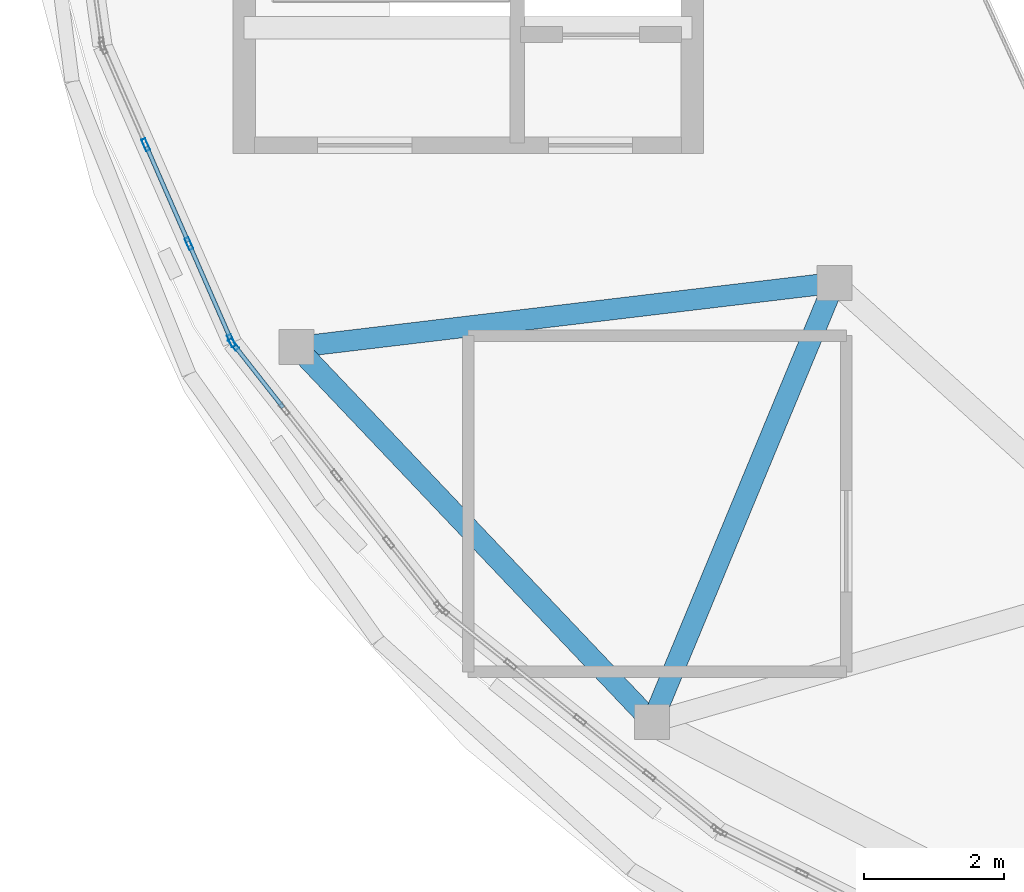
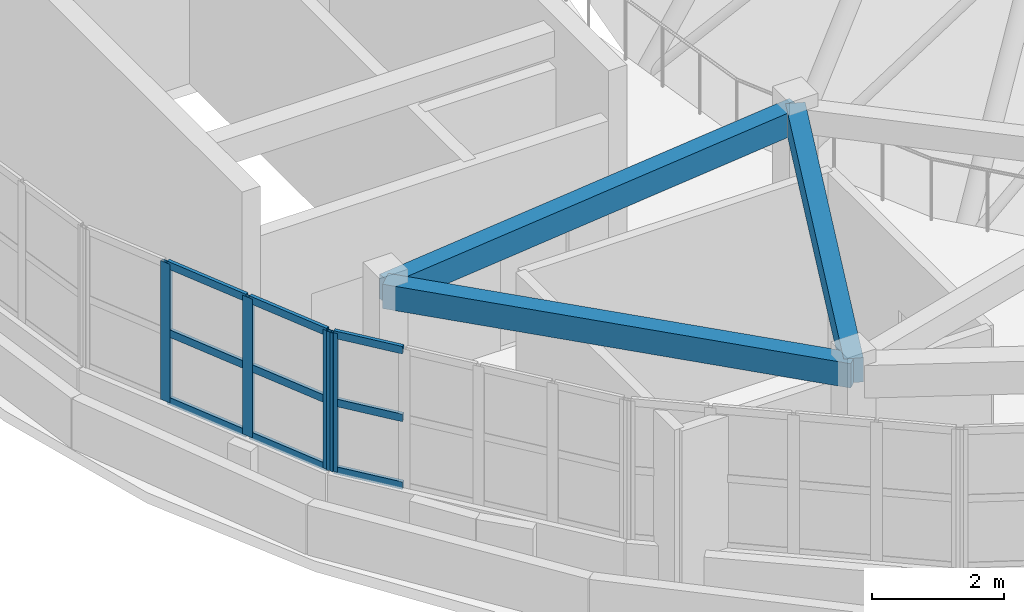
# One storey, part 3 of 38: 13 members, 3 beams, 2 elements without a shape of their own.
"""IFC4 building model written with IfcOpenShell, lengths in metres."""

from ifc_helpers import new_model, si_unit, direction, frame, origin, origin_2d, place, context, subcontext, project, spatial, rectangle, hollow_rectangle, extrude, material, layer, layer_set, material_profile, profile_set, type_object, element, aggregate, save


model = new_model("IFC4")

# Units and contexts
model_context = context("Model", 3, precision=1e-05, world=origin(), true_north=direction((0.0, 1.0)))
body_context = subcontext(model_context, "Body", "Model", "MODEL_VIEW")
ifc_project = project(units=[si_unit("LENGTHUNIT", "METRE"), si_unit("AREAUNIT", "SQUARE_METRE"), si_unit("VOLUMEUNIT", "CUBIC_METRE"), si_unit("PLANEANGLEUNIT", "RADIAN"), si_unit("MASSUNIT", "GRAM", prefix="KILO")], contexts=[model_context])

# Site, building, storey
site_placement = place(None, origin())
site = spatial("IfcSite", under=ifc_project, at=site_placement, CompositionType="ELEMENT")
building_placement = place(site_placement, origin())
building = spatial("IfcBuilding", under=site, at=building_placement, Name="Pelvatis Terrace Science Centre", CompositionType="ELEMENT")
storey_placement = place(building_placement, frame((0.0, 0.0, 24.300048828125)))
storey = spatial("IfcBuildingStorey", under=building, at=storey_placement, Name="L05", CompositionType="ELEMENT", Elevation=24.300048828125)

# Beams
ifc_material_1 = material(Name="Concrete C35/45", Category="concrete")
ifc_material_profile_1 = material_profile(ifc_material_1, rectangle(XDim=0.300048828125, YDim=0.449951171875, at=origin_2d()), Name="RC-BM 300x450")
ifc_profile_set_1 = profile_set([ifc_material_profile_1], Name="Concrete C35/45")
beam_type = type_object("IfcBeamType", Name="BM-RC-300x450", PredefinedType="BEAM", material=ifc_profile_set_1)
beam_1_placement = place(storey_placement, frame((87.548583984375, 76.43798828125, 4.034912109375), z_axis=(0.688284988325, -0.725440400616, 0.0), x_axis=(0.725440400616, 0.688284988325, 0.0)))
element("IfcBeam", 1, at=beam_1_placement, inside=storey, type_object=beam_type, Name="Beam BM-L05-3131", PredefinedType="BEAM", context=body_context, shape_type="SweptSolid", body=[
    extrude(rectangle(XDim=0.300048828125, YDim=0.449951171875, at=origin_2d()), origin(), (0.0, 0.0, 1.0), 7.37890625),
])
beam_2_placement = place(storey_placement, frame((87.548583984375, 76.43798828125, 4.034912109375), z_axis=(0.992948179186, 0.118549202657, 0.0), x_axis=(-0.118549202657, 0.992948179186, 0.0)))
element("IfcBeam", 2, at=beam_2_placement, inside=storey, type_object=beam_type, Name="Beam BM-L05-3132", PredefinedType="BEAM", context=body_context, shape_type="SweptSolid", body=[
    extrude(rectangle(XDim=0.300048828125, YDim=0.449951171875, at=origin_2d()), origin(), (0.0, 0.0, 1.0), 7.737060546875),
])
beam_3_placement = place(storey_placement, frame((92.62744140625, 71.0849609375, 4.034912109375), z_axis=(0.383504415053, 0.923539042832, 0.0), x_axis=(-0.923539042832, 0.383504415053, 0.0)))
element("IfcBeam", 3, at=beam_3_placement, inside=storey, type_object=beam_type, Name="Beam BM-L05-3134", PredefinedType="BEAM", context=body_context, shape_type="SweptSolid", body=[
    extrude(rectangle(XDim=0.300048828125, YDim=0.449951171875, at=origin_2d()), origin(), (0.0, 0.0, 1.0), 6.789306640625),
])

# Curtain wall, members
ifc_material_2 = material(Name="Bronze-anodised aluminium and laminated glass", Category="aluminium")
ifc_layer = layer(ifc_material_2, 0.179931640625)
ifc_layer_set = layer_set([ifc_layer], Name="Bronze-anodised aluminium and laminated glass")
curtain_wall_type = type_object("IfcCurtainWallType", Name="CW-RIBBON-A", PredefinedType="NOTDEFINED", material=ifc_layer_set)
curtain_wall_1_placement = place(storey_placement, origin())
curtain_wall_1 = element("IfcCurtainWall", 4, at=curtain_wall_1_placement, inside=storey, type_object=curtain_wall_type, Name="Ribbon curtain wall CW-252 (L05)", PredefinedType="NOTDEFINED")
ifc_material_3 = material(Name="Bronze-anodised aluminium 6063-T6", Category="aluminium")
ifc_material_profile_2 = material_profile(ifc_material_3, hollow_rectangle(XDim=0.06005859375, YDim=0.179931640625, WallThickness=0.00390625, at=origin_2d()), Name="ALU-MUL 60x180")
ifc_profile_set_2 = profile_set([ifc_material_profile_2], Name="Bronze-anodised aluminium 6063-T6")
member_type_1 = type_object("IfcMemberType", Name="CWM-60x180", PredefinedType="MULLION", material=ifc_profile_set_2)
member_1_placement = place(storey_placement, frame((85.395751953125, 79.325927734375, 1.02001953125), z_axis=(0.0, 0.0, 1.0), x_axis=(0.916274899341, 0.400550007911, 0.0)))
member_1 = element("IfcMember", 5, at=member_1_placement, type_object=member_type_1, Name="CW-252 mullion 2", PredefinedType="MULLION", context=body_context, shape_type="SweptSolid", body=[
    extrude(hollow_rectangle(XDim=0.06005859375, YDim=0.179931640625, WallThickness=0.00390625, at=origin_2d()), origin(), (0.0, 0.0, 1.0), 2.559814453125),
])
member_2_placement = place(storey_placement, frame((86.01318359375, 77.913330078125, 1.02001953125), z_axis=(0.0, 0.0, 1.0), x_axis=(0.916274899341, 0.400550007911, 0.0)))
member_2 = element("IfcMember", 6, at=member_2_placement, type_object=member_type_1, Name="CW-252 mullion 3", PredefinedType="MULLION", context=body_context, shape_type="SweptSolid", body=[
    extrude(hollow_rectangle(XDim=0.06005859375, YDim=0.179931640625, WallThickness=0.00390625, at=origin_2d()), origin(), (0.0, 0.0, 1.0), 2.559814453125),
])
member_3_placement = place(storey_placement, frame((86.61865234375, 76.528076171875, 1.02001953125), z_axis=(0.0, 0.0, 1.0), x_axis=(0.916274899341, 0.400550007911, 0.0)))
member_3 = element("IfcMember", 7, at=member_3_placement, type_object=member_type_1, Name="CW-252 mullion 4", PredefinedType="MULLION", context=body_context, shape_type="SweptSolid", body=[
    extrude(hollow_rectangle(XDim=0.06005859375, YDim=0.179931640625, WallThickness=0.00390625, at=origin_2d()), origin(), (0.0, 0.0, 1.0), 2.559814453125),
])

# Curtain wall, member
curtain_wall_2_placement = place(storey_placement, origin())
curtain_wall_2 = element("IfcCurtainWall", 8, at=curtain_wall_2_placement, inside=storey, type_object=curtain_wall_type, Name="Ribbon curtain wall CW-253 (L05)", PredefinedType="NOTDEFINED")
member_4_placement = place(storey_placement, frame((86.649169921875, 76.47705078125, 1.02001953125), z_axis=(0.0, 0.0, 1.0), x_axis=(0.786576740286, 0.617492535697, 0.0)))
member_4 = element("IfcMember", 9, at=member_4_placement, type_object=member_type_1, Name="CW-253 mullion 1", PredefinedType="MULLION", context=body_context, shape_type="SweptSolid", body=[
    extrude(hollow_rectangle(XDim=0.06005859375, YDim=0.179931640625, WallThickness=0.00390625, at=origin_2d()), origin(), (0.0, 0.0, 1.0), 2.559814453125),
])

# Member
ifc_material_4 = material(Name="Bronze-anodised aluminium 6063-T6", Category="aluminium")
ifc_material_profile_3 = material_profile(ifc_material_4, hollow_rectangle(XDim=0.06005859375, YDim=0.139892578125, WallThickness=0.00390625, at=origin_2d()), Name="ALU-TRN 60x140")
ifc_profile_set_3 = profile_set([ifc_material_profile_3], Name="Bronze-anodised aluminium 6063-T6")
member_type_2 = type_object("IfcMemberType", Name="CWT-60x140", PredefinedType="USERDEFINED", material=ifc_profile_set_3)
member_5_placement = place(storey_placement, frame((85.40771484375, 79.29833984375, 1.050048828125), z_axis=(0.400550866388, -0.916274524057, 0.0), x_axis=(0.916274524057, 0.400550866388, 0.0)))
member_5 = element("IfcMember", 10, at=member_5_placement, type_object=member_type_2, Name="CW-252 transom 2.1", ObjectType="TRANSOM", PredefinedType="USERDEFINED", context=body_context, shape_type="SweptSolid", body=[
    extrude(hollow_rectangle(XDim=0.06005859375, YDim=0.139892578125, WallThickness=0.00390625, at=origin_2d()), origin(), (0.0, 0.0, 1.0), 1.481689453125),
])

member_6_placement = place(storey_placement, frame((85.40771484375, 79.29833984375, 2.300048828125), z_axis=(0.400550866388, -0.916274524057, 0.0), x_axis=(0.916274524057, 0.400550866388, 0.0)))
member_6 = element("IfcMember", 11, at=member_6_placement, type_object=member_type_2, Name="CW-252 transom 2.2", ObjectType="TRANSOM", PredefinedType="USERDEFINED", context=body_context, shape_type="SweptSolid", body=[
    extrude(hollow_rectangle(XDim=0.06005859375, YDim=0.139892578125, WallThickness=0.00390625, at=origin_2d()), origin(), (0.0, 0.0, 1.0), 1.481689453125),
])

member_7_placement = place(storey_placement, frame((85.40771484375, 79.29833984375, 3.550048828125), z_axis=(0.400550866388, -0.916274524057, 0.0), x_axis=(0.916274524057, 0.400550866388, 0.0)))
member_7 = element("IfcMember", 12, at=member_7_placement, type_object=member_type_2, Name="CW-252 transom 2.3", ObjectType="TRANSOM", PredefinedType="USERDEFINED", context=body_context, shape_type="SweptSolid", body=[
    extrude(hollow_rectangle(XDim=0.06005859375, YDim=0.139892578125, WallThickness=0.00390625, at=origin_2d()), origin(), (0.0, 0.0, 1.0), 1.481689453125),
])

member_8_placement = place(storey_placement, frame((86.025146484375, 77.8857421875, 1.050048828125), z_axis=(0.400607080711, -0.916249947822, 0.0), x_axis=(0.916249947822, 0.400607080711, 0.0)))
member_8 = element("IfcMember", 13, at=member_8_placement, type_object=member_type_2, Name="CW-252 transom 3.1", ObjectType="TRANSOM", PredefinedType="USERDEFINED", context=body_context, shape_type="SweptSolid", body=[
    extrude(hollow_rectangle(XDim=0.06005859375, YDim=0.139892578125, WallThickness=0.00390625, at=origin_2d()), origin(), (0.0, 0.0, 1.0), 1.45166015625),
])

member_9_placement = place(storey_placement, frame((86.025146484375, 77.8857421875, 2.300048828125), z_axis=(0.400607080711, -0.916249947822, 0.0), x_axis=(0.916249947822, 0.400607080711, 0.0)))
member_9 = element("IfcMember", 14, at=member_9_placement, type_object=member_type_2, Name="CW-252 transom 3.2", ObjectType="TRANSOM", PredefinedType="USERDEFINED", context=body_context, shape_type="SweptSolid", body=[
    extrude(hollow_rectangle(XDim=0.06005859375, YDim=0.139892578125, WallThickness=0.00390625, at=origin_2d()), origin(), (0.0, 0.0, 1.0), 1.45166015625),
])

member_10_placement = place(storey_placement, frame((86.025146484375, 77.8857421875, 3.550048828125), z_axis=(0.400607080711, -0.916249947822, 0.0), x_axis=(0.916249947822, 0.400607080711, 0.0)))
member_10 = element("IfcMember", 15, at=member_10_placement, type_object=member_type_2, Name="CW-252 transom 3.3", ObjectType="TRANSOM", PredefinedType="USERDEFINED", context=body_context, shape_type="SweptSolid", body=[
    extrude(hollow_rectangle(XDim=0.06005859375, YDim=0.139892578125, WallThickness=0.00390625, at=origin_2d()), origin(), (0.0, 0.0, 1.0), 1.45166015625),
])

aggregate(curtain_wall_1, [member_1, member_2, member_3, member_5, member_6, member_7, member_8, member_9, member_10])

member_11_placement = place(storey_placement, frame((86.667724609375, 76.453369140625, 1.050048828125), z_axis=(0.617426145244, -0.786628854778, 0.0), x_axis=(0.786628854778, 0.617426145244, 0.0)))
member_11 = element("IfcMember", 16, at=member_11_placement, type_object=member_type_2, Name="CW-253 transom 1.1", ObjectType="TRANSOM", PredefinedType="USERDEFINED", context=body_context, shape_type="SweptSolid", body=[
    extrude(hollow_rectangle(XDim=0.06005859375, YDim=0.139892578125, WallThickness=0.00390625, at=origin_2d()), origin(), (0.0, 0.0, 1.0), 1.1181640625),
])

member_12_placement = place(storey_placement, frame((86.667724609375, 76.453369140625, 2.300048828125), z_axis=(0.617426145244, -0.786628854778, 0.0), x_axis=(0.786628854778, 0.617426145244, 0.0)))
member_12 = element("IfcMember", 17, at=member_12_placement, type_object=member_type_2, Name="CW-253 transom 1.2", ObjectType="TRANSOM", PredefinedType="USERDEFINED", context=body_context, shape_type="SweptSolid", body=[
    extrude(hollow_rectangle(XDim=0.06005859375, YDim=0.139892578125, WallThickness=0.00390625, at=origin_2d()), origin(), (0.0, 0.0, 1.0), 1.1181640625),
])

member_13_placement = place(storey_placement, frame((86.667724609375, 76.453369140625, 3.550048828125), z_axis=(0.617426145244, -0.786628854778, 0.0), x_axis=(0.786628854778, 0.617426145244, 0.0)))
member_13 = element("IfcMember", 18, at=member_13_placement, type_object=member_type_2, Name="CW-253 transom 1.3", ObjectType="TRANSOM", PredefinedType="USERDEFINED", context=body_context, shape_type="SweptSolid", body=[
    extrude(hollow_rectangle(XDim=0.06005859375, YDim=0.139892578125, WallThickness=0.00390625, at=origin_2d()), origin(), (0.0, 0.0, 1.0), 1.1181640625),
])

aggregate(curtain_wall_2, [member_4, member_11, member_12, member_13])

save(model, "model.ifc")
